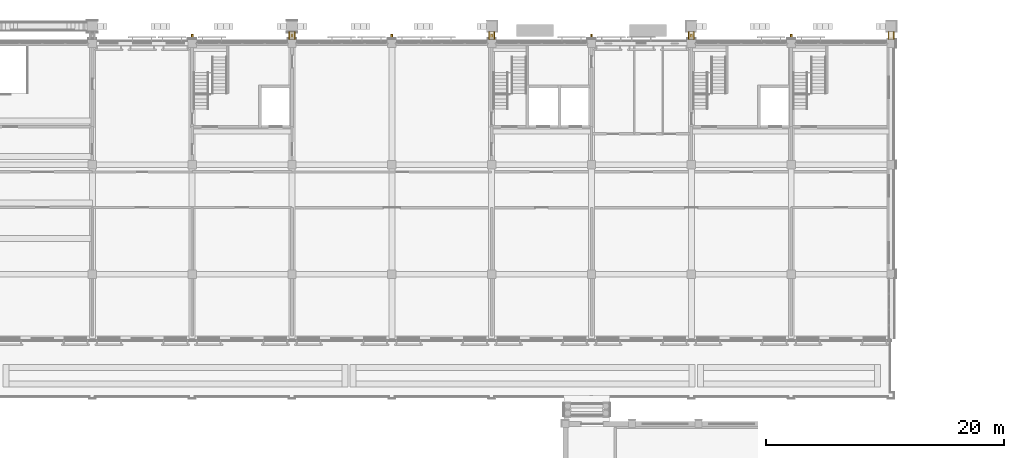
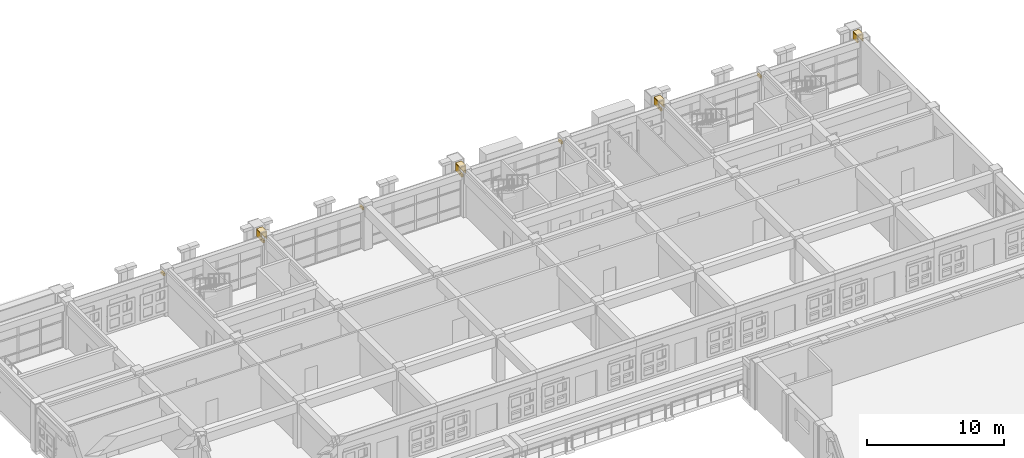
# One storey, part 99 of 99: 12 coverings, 7 shading devices.
"""IFC4 building model written with IfcOpenShell, lengths in metres."""

from ifc_helpers import new_model, si_unit, direction, frame, origin, origin_2d, place, context, subcontext, project, spatial, polyline, rectangle, outline, extrude, material, layer, layer_set, type_object, element, save


model = new_model("IFC4")

# Units and contexts
model_context = context("Model", 3, precision=1e-05, world=origin(), true_north=direction((0.0, 1.0)))
body_context = subcontext(model_context, "Body", "Model", "MODEL_VIEW")
ifc_project = project(units=[si_unit("LENGTHUNIT", "METRE"), si_unit("AREAUNIT", "SQUARE_METRE"), si_unit("VOLUMEUNIT", "CUBIC_METRE"), si_unit("PLANEANGLEUNIT", "RADIAN"), si_unit("MASSUNIT", "GRAM", prefix="KILO")], contexts=[model_context])

# Site, building, storey
site_placement = place(None, origin())
site = spatial("IfcSite", under=ifc_project, at=site_placement, CompositionType="ELEMENT")
building_placement = place(site_placement, origin())
building = spatial("IfcBuilding", under=site, at=building_placement, Name="Wasatch Bagh Community Centre", CompositionType="ELEMENT")
storey_placement = place(building_placement, frame((0.0, 0.0, 4.199951171875)))
storey = spatial("IfcBuildingStorey", under=building, at=storey_placement, Name="L01", CompositionType="ELEMENT", Elevation=4.199951171875)

# Coverings
ifc_material_1 = material(Name="Cast stone cladding", Category="masonry")
ifc_layer = layer(ifc_material_1, 0.080078125)
ifc_layer_set = layer_set([ifc_layer], Name="Cast stone cladding")
covering_type = type_object("IfcCoveringType", Name="CL-B7 beam facing", PredefinedType="CLADDING", material=ifc_layer_set)
covering_1_placement = place(storey_placement, frame((0.0, 0.0, 3.400146484375)))
element("IfcCovering", 1, at=covering_1_placement, inside=storey, type_object=covering_type, Name="Beam facing", PredefinedType="CLADDING", context=body_context, shape_type="SweptSolid", body=[
    extrude(outline(polyline([(89.02490234375, 98.14990234375), (89.02490234375, 98.800048828125), (88.945068359375, 98.800048828125), (88.945068359375, 98.14990234375), (89.02490234375, 98.14990234375)])), origin(), (0.0, 0.0, 1.0), 0.599853515625),
])
covering_2_placement = place(storey_placement, frame((0.0, 0.0, 3.400146484375)))
element("IfcCovering", 2, at=covering_2_placement, inside=storey, type_object=covering_type, Name="Beam facing", PredefinedType="CLADDING", context=body_context, shape_type="SweptSolid", body=[
    extrude(outline(polyline([(89.375, 98.14990234375), (89.375, 98.800048828125), (89.455078125, 98.800048828125), (89.455078125, 98.14990234375), (89.375, 98.14990234375)])), origin(), (0.0, 0.0, 1.0), 0.599853515625),
])
covering_3_placement = place(storey_placement, frame((0.0, 0.0, 4.0)))
element("IfcCovering", 3, at=covering_3_placement, inside=storey, type_object=covering_type, Name="Beam facing", PredefinedType="CLADDING", context=body_context, shape_type="SweptSolid", body=[
    extrude(outline(polyline([(89.455078125, 98.14990234375), (89.455078125, 98.800048828125), (88.945068359375, 98.800048828125), (88.945068359375, 98.14990234375), (89.455078125, 98.14990234375)])), origin(), (0.0, 0.0, 1.0), 0.080078125),
])
covering_4_placement = place(storey_placement, frame((0.0, 0.0, 3.400146484375)))
element("IfcCovering", 4, at=covering_4_placement, inside=storey, type_object=covering_type, Name="Beam facing", PredefinedType="CLADDING", context=body_context, shape_type="SweptSolid", body=[
    extrude(outline(polyline([(105.824951171875, 98.14990234375), (105.824951171875, 98.800048828125), (105.7451171875, 98.800048828125), (105.7451171875, 98.14990234375), (105.824951171875, 98.14990234375)])), origin(), (0.0, 0.0, 1.0), 0.599853515625),
])
covering_5_placement = place(storey_placement, frame((0.0, 0.0, 3.400146484375)))
element("IfcCovering", 5, at=covering_5_placement, inside=storey, type_object=covering_type, Name="Beam facing", PredefinedType="CLADDING", context=body_context, shape_type="SweptSolid", body=[
    extrude(outline(polyline([(106.175048828125, 98.14990234375), (106.175048828125, 98.800048828125), (106.2548828125, 98.800048828125), (106.2548828125, 98.14990234375), (106.175048828125, 98.14990234375)])), origin(), (0.0, 0.0, 1.0), 0.599853515625),
])
covering_6_placement = place(storey_placement, frame((0.0, 0.0, 4.0)))
element("IfcCovering", 6, at=covering_6_placement, inside=storey, type_object=covering_type, Name="Beam facing", PredefinedType="CLADDING", context=body_context, shape_type="SweptSolid", body=[
    extrude(outline(polyline([(106.2548828125, 98.14990234375), (106.2548828125, 98.800048828125), (105.7451171875, 98.800048828125), (105.7451171875, 98.14990234375), (106.2548828125, 98.14990234375)])), origin(), (0.0, 0.0, 1.0), 0.080078125),
])
covering_7_placement = place(storey_placement, frame((0.0, 0.0, 3.400146484375)))
element("IfcCovering", 7, at=covering_7_placement, inside=storey, type_object=covering_type, Name="Beam facing", PredefinedType="CLADDING", context=body_context, shape_type="SweptSolid", body=[
    extrude(outline(polyline([(122.625, 98.14990234375), (122.625, 98.800048828125), (122.544921875, 98.800048828125), (122.544921875, 98.14990234375), (122.625, 98.14990234375)])), origin(), (0.0, 0.0, 1.0), 0.599853515625),
])
covering_8_placement = place(storey_placement, frame((0.0, 0.0, 3.400146484375)))
element("IfcCovering", 8, at=covering_8_placement, inside=storey, type_object=covering_type, Name="Beam facing", PredefinedType="CLADDING", context=body_context, shape_type="SweptSolid", body=[
    extrude(outline(polyline([(122.97509765625, 98.14990234375), (122.97509765625, 98.800048828125), (123.054931640625, 98.800048828125), (123.054931640625, 98.14990234375), (122.97509765625, 98.14990234375)])), origin(), (0.0, 0.0, 1.0), 0.599853515625),
])
covering_9_placement = place(storey_placement, frame((0.0, 0.0, 4.0)))
element("IfcCovering", 9, at=covering_9_placement, inside=storey, type_object=covering_type, Name="Beam facing", PredefinedType="CLADDING", context=body_context, shape_type="SweptSolid", body=[
    extrude(outline(polyline([(123.054931640625, 98.14990234375), (123.054931640625, 98.800048828125), (122.544921875, 98.800048828125), (122.544921875, 98.14990234375), (123.054931640625, 98.14990234375)])), origin(), (0.0, 0.0, 1.0), 0.080078125),
])
covering_10_placement = place(storey_placement, frame((0.0, 0.0, 3.400146484375)))
element("IfcCovering", 10, at=covering_10_placement, inside=storey, type_object=covering_type, Name="Beam facing", PredefinedType="CLADDING", context=body_context, shape_type="SweptSolid", body=[
    extrude(outline(polyline([(139.425048828125, 98.14990234375), (139.425048828125, 98.800048828125), (139.344970703125, 98.800048828125), (139.344970703125, 98.14990234375), (139.425048828125, 98.14990234375)])), origin(), (0.0, 0.0, 1.0), 0.599853515625),
])
covering_11_placement = place(storey_placement, frame((0.0, 0.0, 3.400146484375)))
element("IfcCovering", 11, at=covering_11_placement, inside=storey, type_object=covering_type, Name="Beam facing", PredefinedType="CLADDING", context=body_context, shape_type="SweptSolid", body=[
    extrude(outline(polyline([(139.77490234375, 98.14990234375), (139.77490234375, 98.800048828125), (139.85498046875, 98.800048828125), (139.85498046875, 98.14990234375), (139.77490234375, 98.14990234375)])), origin(), (0.0, 0.0, 1.0), 0.599853515625),
])
covering_12_placement = place(storey_placement, frame((0.0, 0.0, 4.0)))
element("IfcCovering", 12, at=covering_12_placement, inside=storey, type_object=covering_type, Name="Beam facing", PredefinedType="CLADDING", context=body_context, shape_type="SweptSolid", body=[
    extrude(outline(polyline([(139.85498046875, 98.14990234375), (139.85498046875, 98.800048828125), (139.344970703125, 98.800048828125), (139.344970703125, 98.14990234375), (139.85498046875, 98.14990234375)])), origin(), (0.0, 0.0, 1.0), 0.080078125),
])

# Shading devices
ifc_material_2 = material(Name="Powder-coated aluminium", Category="aluminium")
shading_device_type = type_object("IfcShadingDeviceType", Name="LW north fin 150x450", PredefinedType="USERDEFINED", material=ifc_material_2)
for number, where, z_axis, x_axis, name in (
    (13, (80.800048828125, 98.375, 3.10009765625), (0.0, 0.0, 1.0), (1.0, 0.0, 0.0), "Facade fin"),
    (14, (89.199951171875, 98.375, 3.10009765625), (0.0, 0.0, 1.0), (1.0, 0.0, 0.0), "Facade fin"),
    (15, (97.60009765625, 98.375, 3.10009765625), (0.0, 0.0, 1.0), (1.0, 0.0, 0.0), "Facade fin"),
    (16, (106.0, 98.375, 3.10009765625), (0.0, 0.0, 1.0), (1.0, 0.0, 0.0), "Facade fin"),
    (17, (114.39990234375, 98.375, 3.10009765625), (0.0, 0.0, 1.0), (1.0, 0.0, 0.0), "Facade fin"),
    (18, (122.800048828125, 98.375, 3.10009765625), (0.0, 0.0, 1.0), (1.0, 0.0, 0.0), "Facade fin"),
    (19, (131.199951171875, 98.375, 3.10009765625), (0.0, 0.0, 1.0), (1.0, 0.0, 0.0), "Facade fin"),
):
    element("IfcShadingDevice", number, at=place(storey_placement, frame(where, z_axis=z_axis, x_axis=x_axis)), inside=storey, type_object=shading_device_type, Name=name, ObjectType="Facade fin", PredefinedType="USERDEFINED", context=body_context, shape_type="SweptSolid", body=[
        extrude(rectangle(XDim=0.14990234375, YDim=0.449951171875, at=origin_2d()), origin(), (0.0, 0.0, 1.0), 0.219970703125),
    ])

save(model, "model.ifc")
